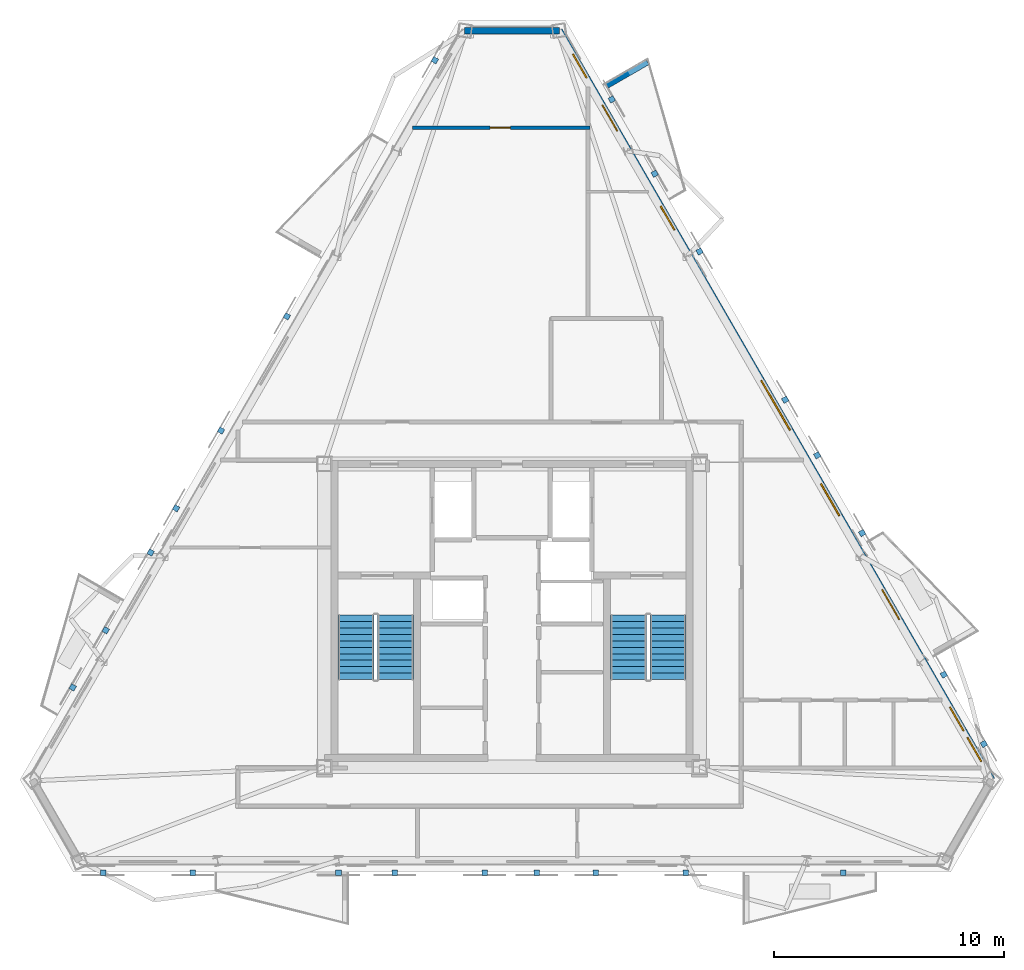
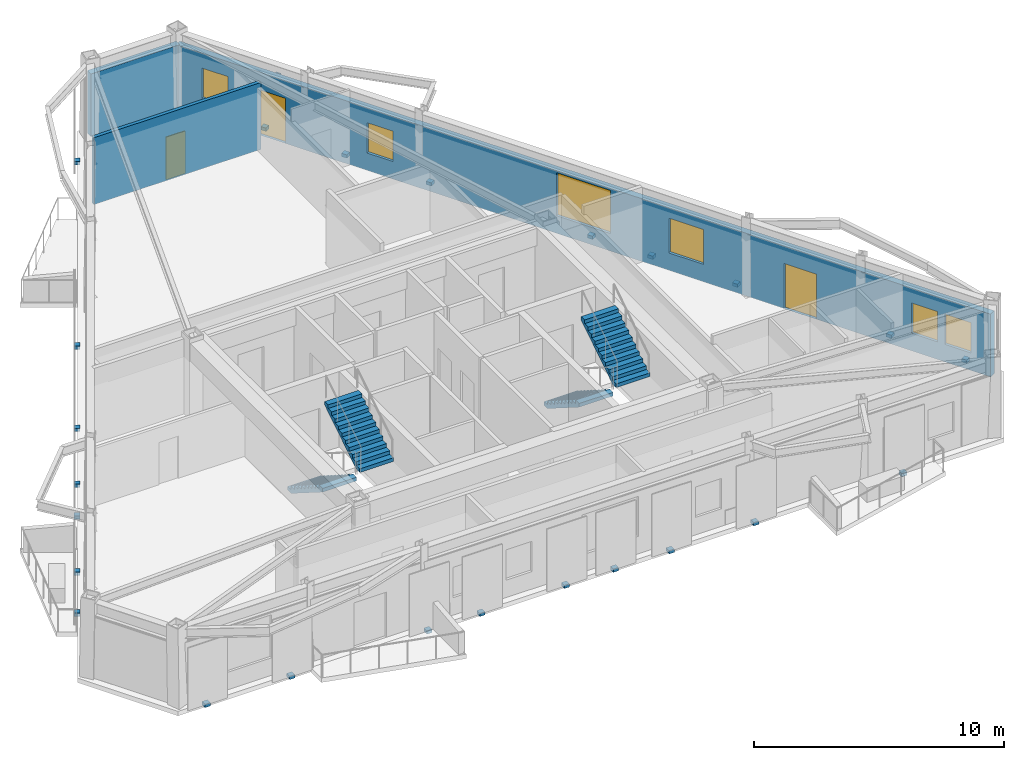
# One storey, part 5 of 9: 24 discrete accessories, 6 windows, 4 stair flights, 4 walls, 3 doors, 9 openings, 2 elements without a shape of their own.
"""IFC4 building model written with IfcOpenShell, lengths in metres."""

from ifc_helpers import new_model, si_unit, direction, frame, frame_2d, origin, origin_2d, place, context, subcontext, project, spatial, polyline, rectangle, outline, extrude, material, layer, layer_set, type_object, element, fill, aggregate, save


model = new_model("IFC4")

# Units and contexts
model_context = context("Model", 3, precision=1e-05, world=origin(), true_north=direction((0.0, 1.0)))
body_context = subcontext(model_context, "Body", "Model", "MODEL_VIEW")
ifc_project = project(units=[si_unit("LENGTHUNIT", "METRE"), si_unit("AREAUNIT", "SQUARE_METRE"), si_unit("VOLUMEUNIT", "CUBIC_METRE"), si_unit("PLANEANGLEUNIT", "RADIAN"), si_unit("MASSUNIT", "GRAM", prefix="KILO")], contexts=[model_context])

# Site, building, storey
site_placement = place(None, origin())
site = spatial("IfcSite", under=ifc_project, at=site_placement, CompositionType="ELEMENT")
building_placement = place(site_placement, origin())
building = spatial("IfcBuilding", under=site, at=building_placement, Name="Oramaril Tower", CompositionType="ELEMENT")
storey_placement = place(building_placement, frame((0.0, 0.0, 292.800048828125)))
storey = spatial("IfcBuildingStorey", under=building, at=storey_placement, Name="L77", CompositionType="ELEMENT", Elevation=292.800048828125)

# Wall, openings, doors, windows
ifc_material_1 = material(Name="Warm Cream Limestone", Category="masonry")
ifc_layer_1 = layer(ifc_material_1, 0.2900390625)
ifc_layer_set_1 = layer_set([ifc_layer_1], Name="WT-EXT29")
wall_type_1 = type_object("IfcWallType", Name="WT-EXT29", PredefinedType="SOLIDWALL", material=ifc_layer_set_1)
wall_1_placement = place(storey_placement, frame((58.33740234375, 10.439208984375, 0.0), z_axis=(0.0, 0.0, 1.0), x_axis=(-0.499999767403, 0.866025538074, 0.0)))
wall_1 = element("IfcWall", 1, at=wall_1_placement, inside=storey, type_object=wall_type_1, Name="L77 Tower Limestone Facade Wall 4M", PredefinedType="SOLIDWALL", context=body_context, shape_type="SweptSolid", body=[
    extrude(rectangle(XDim=37.5703125, YDim=0.2900390625, at=frame_2d((18.78515625, 0.0))), origin(), (0.0, 0.0, 1.0), 3.057861328125),
])
opening_1_placement = place(wall_1_placement, frame((8.034423828125, 0.0, 0.0)))
opening_1 = element("IfcOpeningElement", 2, at=opening_1_placement, cuts=wall_1, Name="Opening D-L77-BAL-NE1", PredefinedType="OPENING", context=body_context, shape_type="SweptSolid", body=[
    extrude(rectangle(XDim=1.5, YDim=2.199951171875, at=frame_2d((0.75, 1.10009765625))), frame((0.0, 0.14501953125, 0.0), z_axis=(0.0, -1.0, 0.0), x_axis=(1.0, 0.0, 0.0)), (0.0, 0.0, 1.0), 0.2900390625),
])
opening_2_placement = place(wall_1_placement, frame((32.53076171875, 0.0, 0.0)))
opening_2 = element("IfcOpeningElement", 3, at=opening_2_placement, cuts=wall_1, Name="Opening D-L77-BAL-NE2", PredefinedType="OPENING", context=body_context, shape_type="SweptSolid", body=[
    extrude(rectangle(XDim=1.300048828125, YDim=2.199951171875, at=frame_2d((0.64990234375, 1.10009765625))), frame((0.0, 0.14501953125, 0.0), z_axis=(0.0, -1.0, 0.0), x_axis=(1.0, 0.0, 0.0)), (0.0, 0.0, 1.0), 0.2900390625),
])
opening_3_placement = place(wall_1_placement, frame((0.91552734375, 0.0, 0.85009765625)))
opening_3 = element("IfcOpeningElement", 4, at=opening_3_placement, cuts=wall_1, Name="Opening WN-09", PredefinedType="OPENING", context=body_context, shape_type="SweptSolid", body=[
    extrude(rectangle(XDim=1.199951171875, YDim=1.47998046875, at=frame_2d((0.60009765625, 0.739990234375))), frame((0.0, 0.14501953125, 0.0), z_axis=(0.0, -1.0, 0.0), x_axis=(1.0, 0.0, 0.0)), (0.0, 0.0, 1.0), 0.2900390625),
])
opening_4_placement = place(wall_1_placement, frame((13.242919921875, 0.0, 0.85009765625)))
opening_4 = element("IfcOpeningElement", 5, at=opening_4_placement, cuts=wall_1, Name="Opening WN-07", PredefinedType="OPENING", context=body_context, shape_type="SweptSolid", body=[
    extrude(rectangle(XDim=1.60009765625, YDim=1.699951171875, at=frame_2d((0.800048828125, 0.85009765625))), frame((0.0, 0.14501953125, 0.0), z_axis=(0.0, -1.0, 0.0), x_axis=(1.0, 0.0, 0.0)), (0.0, 0.0, 1.0), 0.2900390625),
])
opening_5_placement = place(wall_1_placement, frame((2.444091796875, 0.0, 0.85009765625)))
opening_5 = element("IfcOpeningElement", 6, at=opening_5_placement, cuts=wall_1, Name="Opening WN-09", PredefinedType="OPENING", context=body_context, shape_type="SweptSolid", body=[
    extrude(rectangle(XDim=1.199951171875, YDim=1.47998046875, at=frame_2d((0.60009765625, 0.739990234375))), frame((0.0, 0.14501953125, 0.0), z_axis=(0.0, -1.0, 0.0), x_axis=(1.0, 0.0, 0.0)), (0.0, 0.0, 1.0), 0.2900390625),
])
opening_6_placement = place(wall_1_placement, frame((35.189697265625, 0.0, 0.85009765625)))
opening_6 = element("IfcOpeningElement", 7, at=opening_6_placement, cuts=wall_1, Name="Opening WN-09", PredefinedType="OPENING", context=body_context, shape_type="SweptSolid", body=[
    extrude(rectangle(XDim=1.199951171875, YDim=1.47998046875, at=frame_2d((0.60009765625, 0.739990234375))), frame((0.0, 0.14501953125, 0.0), z_axis=(0.0, -1.0, 0.0), x_axis=(1.0, 0.0, 0.0)), (0.0, 0.0, 1.0), 0.2900390625),
])
opening_7_placement = place(wall_1_placement, frame((17.527587890625, 0.0, 0.85009765625)))
opening_7 = element("IfcOpeningElement", 8, at=opening_7_placement, cuts=wall_1, Name="Opening WN-11", PredefinedType="OPENING", context=body_context, shape_type="SweptSolid", body=[
    extrude(rectangle(XDim=2.5, YDim=2.097900390625, at=frame_2d((1.25, 1.048828125))), frame((0.0, 0.14501953125, 0.0), z_axis=(0.0, -1.0, 0.0), x_axis=(1.0, 0.0, 0.0)), (0.0, 0.0, 1.0), 0.2900390625),
])
opening_8_placement = place(wall_1_placement, frame((27.564697265625, 0.0, 0.85009765625)))
opening_8 = element("IfcOpeningElement", 9, at=opening_8_placement, cuts=wall_1, Name="Opening WN-09", PredefinedType="OPENING", context=body_context, shape_type="SweptSolid", body=[
    extrude(rectangle(XDim=1.199951171875, YDim=1.47998046875, at=frame_2d((0.60009765625, 0.739990234375))), frame((0.0, 0.14501953125, 0.0), z_axis=(0.0, -1.0, 0.0), x_axis=(1.0, 0.0, 0.0)), (0.0, 0.0, 1.0), 0.2900390625),
])
ifc_material_2 = material(Name="Anodised Aluminium 6063-T6", Category="aluminium")
door_type_1 = type_object("IfcDoorType", Name="DT-BAL", OperationType="NOTDEFINED", PredefinedType="DOOR", material=ifc_material_2)
door_1_placement = place(opening_1_placement, origin())
door_1 = element("IfcDoor", 10, at=door_1_placement, inside=storey, type_object=door_type_1, Name="L77 Balcony Glazed Door L77-BAL-NE1", OperationType="SINGLE_SWING_RIGHT", OverallHeight=2.199951171875, OverallWidth=1.5, PredefinedType="DOOR", context=body_context, shape_type="SweptSolid", body=[
    extrude(rectangle(XDim=1.5, YDim=2.199951171875, at=frame_2d((0.75, 1.10009765625))), frame((0.0, 0.02490234375, 0.0), z_axis=(0.0, -1.0, 0.0), x_axis=(1.0, 0.0, 0.0)), (0.0, 0.0, 1.0), 0.050048828125),
])
fill(opening_1, door_1)
ifc_material_3 = material(Name="Anodised Aluminium 6063-T6", Category="aluminium")
door_type_2 = type_object("IfcDoorType", Name="DT-E2", OperationType="NOTDEFINED", PredefinedType="DOOR", material=ifc_material_3)
door_2_placement = place(opening_2_placement, origin())
door_2 = element("IfcDoor", 11, at=door_2_placement, inside=storey, type_object=door_type_2, Name="L77 Balcony Glazed Door L77-BAL-NE2", OperationType="SINGLE_SWING_LEFT", OverallHeight=2.199951171875, OverallWidth=1.300048828125, PredefinedType="DOOR", context=body_context, shape_type="SweptSolid", body=[
    extrude(rectangle(XDim=1.300048828125, YDim=2.199951171875, at=frame_2d((0.64990234375, 1.10009765625))), frame((0.0, 0.02490234375, 0.0), z_axis=(0.0, -1.0, 0.0), x_axis=(1.0, 0.0, 0.0)), (0.0, 0.0, 1.0), 0.050048828125),
])
fill(opening_2, door_2)
ifc_material_4 = material(Name="Coastal Low-E Insulated Glass", Category="glass")
window_type_1 = type_object("IfcWindowType", Name="WNT-07", PartitioningType="SINGLE_PANEL", PredefinedType="WINDOW", material=ifc_material_4)
window_1_placement = place(opening_4_placement, origin())
window_1 = element("IfcWindow", 12, at=window_1_placement, inside=storey, type_object=window_type_1, Name="L77 Chicago Bay Window WN-07", OverallHeight=1.699951171875, OverallWidth=1.60009765625, PartitioningType="SINGLE_PANEL", PredefinedType="WINDOW", context=body_context, shape_type="SweptSolid", body=[
    extrude(rectangle(XDim=1.60009765625, YDim=1.699951171875, at=frame_2d((0.800048828125, 0.85009765625))), frame((0.0, 0.030029296875, 0.0), z_axis=(0.0, -1.0, 0.0), x_axis=(1.0, 0.0, 0.0)), (0.0, 0.0, 1.0), 0.06005859375),
])
fill(opening_4, window_1)
ifc_material_5 = material(Name="Coastal Low-E Insulated Glass", Category="glass")
window_type_2 = type_object("IfcWindowType", Name="WNT-09", PartitioningType="SINGLE_PANEL", PredefinedType="WINDOW", material=ifc_material_5)
window_2_placement = place(opening_3_placement, origin())
window_2 = element("IfcWindow", 13, at=window_2_placement, inside=storey, type_object=window_type_2, Name="L77 Chicago Bay Window WN-09", OverallHeight=1.47998046875, OverallWidth=1.199951171875, PartitioningType="SINGLE_PANEL", PredefinedType="WINDOW", context=body_context, shape_type="SweptSolid", body=[
    extrude(rectangle(XDim=1.199951171875, YDim=1.47998046875, at=frame_2d((0.60009765625, 0.739990234375))), frame((0.0, 0.030029296875, 0.0), z_axis=(0.0, -1.0, 0.0), x_axis=(1.0, 0.0, 0.0)), (0.0, 0.0, 1.0), 0.06005859375),
])
fill(opening_3, window_2)
window_3_placement = place(opening_5_placement, origin())
window_3 = element("IfcWindow", 14, at=window_3_placement, inside=storey, type_object=window_type_2, Name="L77 Chicago Bay Window WN-09", OverallHeight=1.47998046875, OverallWidth=1.199951171875, PartitioningType="SINGLE_PANEL", PredefinedType="WINDOW", context=body_context, shape_type="SweptSolid", body=[
    extrude(rectangle(XDim=1.199951171875, YDim=1.47998046875, at=frame_2d((0.60009765625, 0.739990234375))), frame((0.0, 0.030029296875, 0.0), z_axis=(0.0, -1.0, 0.0), x_axis=(1.0, 0.0, 0.0)), (0.0, 0.0, 1.0), 0.06005859375),
])
fill(opening_5, window_3)
window_4_placement = place(opening_6_placement, origin())
window_4 = element("IfcWindow", 15, at=window_4_placement, inside=storey, type_object=window_type_2, Name="L77 Chicago Bay Window WN-09", OverallHeight=1.47998046875, OverallWidth=1.199951171875, PartitioningType="SINGLE_PANEL", PredefinedType="WINDOW", context=body_context, shape_type="SweptSolid", body=[
    extrude(rectangle(XDim=1.199951171875, YDim=1.47998046875, at=frame_2d((0.60009765625, 0.739990234375))), frame((0.0, 0.030029296875, 0.0), z_axis=(0.0, -1.0, 0.0), x_axis=(1.0, 0.0, 0.0)), (0.0, 0.0, 1.0), 0.06005859375),
])
fill(opening_6, window_4)
window_5_placement = place(opening_8_placement, origin())
window_5 = element("IfcWindow", 16, at=window_5_placement, inside=storey, type_object=window_type_2, Name="L77 Chicago Bay Window WN-09", OverallHeight=1.47998046875, OverallWidth=1.199951171875, PartitioningType="SINGLE_PANEL", PredefinedType="WINDOW", context=body_context, shape_type="SweptSolid", body=[
    extrude(rectangle(XDim=1.199951171875, YDim=1.47998046875, at=frame_2d((0.60009765625, 0.739990234375))), frame((0.0, 0.030029296875, 0.0), z_axis=(0.0, -1.0, 0.0), x_axis=(1.0, 0.0, 0.0)), (0.0, 0.0, 1.0), 0.06005859375),
])
fill(opening_8, window_5)
ifc_material_6 = material(Name="Coastal Low-E Insulated Glass", Category="glass")
window_type_3 = type_object("IfcWindowType", Name="WNT-11", PartitioningType="SINGLE_PANEL", PredefinedType="WINDOW", material=ifc_material_6)
window_6_placement = place(opening_7_placement, origin())
window_6 = element("IfcWindow", 17, at=window_6_placement, inside=storey, type_object=window_type_3, Name="L77 Chicago Bay Window WN-11", OverallHeight=2.097900390625, OverallWidth=2.5, PartitioningType="SINGLE_PANEL", PredefinedType="WINDOW", context=body_context, shape_type="SweptSolid", body=[
    extrude(rectangle(XDim=2.5, YDim=2.097900390625, at=frame_2d((1.25, 1.048828125))), frame((0.0, 0.030029296875, 0.0), z_axis=(0.0, -1.0, 0.0), x_axis=(1.0, 0.0, 0.0)), (0.0, 0.0, 1.0), 0.06005859375),
])
fill(opening_7, window_6)

# Walls
wall_2_placement = place(storey_placement, frame((39.55224609375, 42.97607421875, 0.0), z_axis=(0.0, 0.0, 1.0), x_axis=(-1.0, 0.0, 0.0)))
element("IfcWall", 18, at=wall_2_placement, inside=storey, type_object=wall_type_1, Name="L77 Tower Limestone Facade Wall 5M", PredefinedType="SOLIDWALL", context=body_context, shape_type="SweptSolid", body=[
    extrude(rectangle(XDim=4.1044921875, YDim=0.2900390625, at=frame_2d((2.05224609375, 0.0))), origin(), (0.0, 0.0, 1.0), 3.057861328125),
])
ifc_material_7 = material(Name="Concrete C40/50", Category="concrete")
ifc_layer_2 = layer(ifc_material_7, 0.22998046875)
ifc_layer_set_2 = layer_set([ifc_layer_2], Name="WT-PRP23")
wall_type_2 = type_object("IfcWallType", Name="WT-PRP23", PredefinedType="PARAPET", material=ifc_layer_set_2)
wall_3_placement = place(storey_placement, frame((41.62744140625, 40.577880859375, 0.0), z_axis=(0.0, 0.0, 1.0), x_axis=(0.866012356593, 0.500022597718, 0.0)))
element("IfcWall", 19, at=wall_3_placement, inside=storey, type_object=wall_type_2, Name="L77 Trapezoidal Balcony Frame Cheek L77-BAL-NE2-R", PredefinedType="PARAPET", context=body_context, shape_type="SweptSolid", body=[
    extrude(outline(polyline([(0.0, 0.0), (2.0419921875, 0.0), (2.0419921875, 1.099853515625), (0.0, 1.320068359375), (0.0, 0.0)])), frame((0.0, 0.114990234375, 0.0), z_axis=(0.0, -1.0, 0.0), x_axis=(1.0, 0.0, 0.0)), (0.0, 0.0, 1.0), 0.22998046875),
])

# Wall, opening, door
ifc_material_8 = material(Name="Acoustic Gypsum Board Partition")
ifc_layer_3 = layer(ifc_material_8, 0.159912109375)
ifc_layer_set_3 = layer_set([ifc_layer_3], Name="WT-PT16")
wall_type_3 = type_object("IfcWallType", Name="WT-PT16", PredefinedType="PARTITIONING", material=ifc_layer_set_3)
wall_4_placement = place(storey_placement, frame((33.1796875, 38.75, 0.0), z_axis=(0.0, 0.0, 1.0), x_axis=(1.0, 0.0, 0.0)))
wall_4 = element("IfcWall", 20, at=wall_4_placement, inside=storey, type_object=wall_type_3, Name="L77 Interior Partition PT-16", PredefinedType="PARTITIONING", context=body_context, shape_type="SweptSolid", body=[
    extrude(rectangle(XDim=7.702392578125, YDim=0.159912109375, at=frame_2d((3.85107421875, 0.0))), origin(), (0.0, 0.0, 1.0), 3.265869140625),
])
opening_9_placement = place(wall_4_placement, frame((3.371337890625, 0.0, 0.0)))
opening_9 = element("IfcOpeningElement", 21, at=opening_9_placement, cuts=wall_4, Name="Opening D-L77-12", PredefinedType="OPENING", context=body_context, shape_type="SweptSolid", body=[
    extrude(rectangle(XDim=0.8798828125, YDim=2.080078125, at=frame_2d((0.43994140625, 1.0400390625))), frame((0.0, 0.080078125, 0.0), z_axis=(0.0, -1.0, 0.0), x_axis=(1.0, 0.0, 0.0)), (0.0, 0.0, 1.0), 0.159912109375),
])
ifc_material_9 = material(Name="FSC Brazilian Freijo Hardwood", Category="wood")
door_type_3 = type_object("IfcDoorType", Name="DT-BATH", OperationType="NOTDEFINED", PredefinedType="DOOR", material=ifc_material_9)
door_3_placement = place(opening_9_placement, origin())
door_3 = element("IfcDoor", 22, at=door_3_placement, inside=storey, type_object=door_type_3, Name="L77 Flat L77-U4 Bathroom Door D-L77-12", OperationType="SINGLE_SWING_LEFT", OverallHeight=2.080078125, OverallWidth=0.8798828125, PredefinedType="DOOR", context=body_context, shape_type="SweptSolid", body=[
    extrude(rectangle(XDim=0.8798828125, YDim=2.080078125, at=frame_2d((0.43994140625, 1.0400390625))), frame((0.0, 0.02490234375, 0.0), z_axis=(0.0, -1.0, 0.0), x_axis=(1.0, 0.0, 0.0)), (0.0, 0.0, 1.0), 0.050048828125),
])
fill(opening_9, door_3)

# Stair, stair flights
ifc_material_10 = material(Name="Concrete C50/60", Category="concrete")
stair_type = type_object("IfcStairType", Name="STT-DG-3900", PredefinedType="HALF_TURN_STAIR", material=ifc_material_10)
stair_1_placement = place(storey_placement, origin())
stair_1 = element("IfcStair", 23, at=stair_1_placement, inside=storey, type_object=stair_type, Name="L77 Protected PFP Exit Stair ST-1", PredefinedType="HALF_TURN_STAIR")
ifc_material_11 = material(Name="Concrete C50/60", Category="concrete")
stair_flight_type = type_object("IfcStairFlightType", Name="SFT-DG-3900", PredefinedType="STRAIGHT", material=ifc_material_11)
stair_flight_1_placement = place(storey_placement, frame((30.72998046875, 17.590087890625, 0.0), z_axis=(0.0, 0.0, 1.0), x_axis=(0.0, -1.0, 0.0)))
stair_flight_1 = element("IfcStairFlight", 24, at=stair_flight_1_placement, type_object=stair_flight_type, Name="ST-1 flight 1", NumberOfRisers=11, NumberOfTreads=10, PredefinedType="STRAIGHT", RiserHeight=0.177272727, TreadLength=0.28, context=body_context, shape_type="SweptSolid", body=[
    extrude(outline(polyline([(0.0, 0.0), (0.0, 0.17724609375), (0.280029296875, 0.17724609375), (0.280029296875, 0.3544921875), (0.56005859375, 0.3544921875), (0.56005859375, 0.53173828125), (0.840087890625, 0.53173828125), (0.840087890625, 0.708984375), (1.1201171875, 0.708984375), (1.1201171875, 0.886474609375), (1.39990234375, 0.886474609375), (1.39990234375, 1.063720703125), (1.679931640625, 1.063720703125), (1.679931640625, 1.240966796875), (1.9599609375, 1.240966796875), (1.9599609375, 1.418212890625), (2.239990234375, 1.418212890625), (2.239990234375, 1.595458984375), (2.52001953125, 1.595458984375), (2.52001953125, 1.772705078125), (2.800048828125, 1.772705078125), (2.800048828125, 1.949951171875), (2.800048828125, 1.59521484375), (0.2802734375, 0.0), (0.0, 0.0)])), frame((0.0, 0.780029296875, 0.0), z_axis=(0.0, -1.0, 0.0), x_axis=(1.0, 0.0, 0.0)), (0.0, 0.0, 1.0), 1.56005859375),
])
stair_flight_2_placement = place(storey_placement, frame((32.43994140625, 14.7900390625, 1.949951171875), z_axis=(0.0, 0.0, 1.0), x_axis=(0.0, 1.0, 0.0)))
stair_flight_2 = element("IfcStairFlight", 25, at=stair_flight_2_placement, type_object=stair_flight_type, Name="ST-1 flight 2", NumberOfRisers=11, NumberOfTreads=10, PredefinedType="STRAIGHT", RiserHeight=0.177272727, TreadLength=0.28, context=body_context, shape_type="SweptSolid", body=[
    extrude(outline(polyline([(0.0, 0.0), (0.0, 0.17724609375), (0.280029296875, 0.17724609375), (0.280029296875, 0.3544921875), (0.56005859375, 0.3544921875), (0.56005859375, 0.53173828125), (0.840087890625, 0.53173828125), (0.840087890625, 0.708984375), (1.1201171875, 0.708984375), (1.1201171875, 0.886474609375), (1.39990234375, 0.886474609375), (1.39990234375, 1.063720703125), (1.679931640625, 1.063720703125), (1.679931640625, 1.240966796875), (1.9599609375, 1.240966796875), (1.9599609375, 1.418212890625), (2.239990234375, 1.418212890625), (2.239990234375, 1.595458984375), (2.52001953125, 1.595458984375), (2.52001953125, 1.772705078125), (2.800048828125, 1.772705078125), (2.800048828125, 1.949951171875), (2.800048828125, 1.59521484375), (0.2802734375, 0.0), (0.0, 0.0)])), frame((0.0, 0.780029296875, 0.0), z_axis=(0.0, -1.0, 0.0), x_axis=(1.0, 0.0, 0.0)), (0.0, 0.0, 1.0), 1.56005859375),
])
aggregate(stair_1, [stair_flight_1, stair_flight_2])

stair_2_placement = place(storey_placement, origin())
stair_2 = element("IfcStair", 26, at=stair_2_placement, inside=storey, type_object=stair_type, Name="L77 Protected PFP Exit Stair ST-2", PredefinedType="HALF_TURN_STAIR")
stair_flight_3_placement = place(storey_placement, frame((42.56005859375, 17.590087890625, 0.0), z_axis=(0.0, 0.0, 1.0), x_axis=(0.0, -1.0, 0.0)))
stair_flight_3 = element("IfcStairFlight", 27, at=stair_flight_3_placement, type_object=stair_flight_type, Name="ST-2 flight 1", NumberOfRisers=11, NumberOfTreads=10, PredefinedType="STRAIGHT", RiserHeight=0.177272727, TreadLength=0.28, context=body_context, shape_type="SweptSolid", body=[
    extrude(outline(polyline([(0.0, 0.0), (0.0, 0.17724609375), (0.280029296875, 0.17724609375), (0.280029296875, 0.3544921875), (0.56005859375, 0.3544921875), (0.56005859375, 0.53173828125), (0.840087890625, 0.53173828125), (0.840087890625, 0.708984375), (1.1201171875, 0.708984375), (1.1201171875, 0.886474609375), (1.39990234375, 0.886474609375), (1.39990234375, 1.063720703125), (1.679931640625, 1.063720703125), (1.679931640625, 1.240966796875), (1.9599609375, 1.240966796875), (1.9599609375, 1.418212890625), (2.239990234375, 1.418212890625), (2.239990234375, 1.595458984375), (2.52001953125, 1.595458984375), (2.52001953125, 1.772705078125), (2.800048828125, 1.772705078125), (2.800048828125, 1.949951171875), (2.800048828125, 1.59521484375), (0.2802734375, 0.0), (0.0, 0.0)])), frame((0.0, 0.780029296875, 0.0), z_axis=(0.0, -1.0, 0.0), x_axis=(1.0, 0.0, 0.0)), (0.0, 0.0, 1.0), 1.56005859375),
])
stair_flight_4_placement = place(storey_placement, frame((44.27001953125, 14.7900390625, 1.949951171875), z_axis=(0.0, 0.0, 1.0), x_axis=(0.0, 1.0, 0.0)))
stair_flight_4 = element("IfcStairFlight", 28, at=stair_flight_4_placement, type_object=stair_flight_type, Name="ST-2 flight 2", NumberOfRisers=11, NumberOfTreads=10, PredefinedType="STRAIGHT", RiserHeight=0.177272727, TreadLength=0.28, context=body_context, shape_type="SweptSolid", body=[
    extrude(outline(polyline([(0.0, 0.0), (0.0, 0.17724609375), (0.280029296875, 0.17724609375), (0.280029296875, 0.3544921875), (0.56005859375, 0.3544921875), (0.56005859375, 0.53173828125), (0.840087890625, 0.53173828125), (0.840087890625, 0.708984375), (1.1201171875, 0.708984375), (1.1201171875, 0.886474609375), (1.39990234375, 0.886474609375), (1.39990234375, 1.063720703125), (1.679931640625, 1.063720703125), (1.679931640625, 1.240966796875), (1.9599609375, 1.240966796875), (1.9599609375, 1.418212890625), (2.239990234375, 1.418212890625), (2.239990234375, 1.595458984375), (2.52001953125, 1.595458984375), (2.52001953125, 1.772705078125), (2.800048828125, 1.772705078125), (2.800048828125, 1.949951171875), (2.800048828125, 1.59521484375), (0.2802734375, 0.0), (0.0, 0.0)])), frame((0.0, 0.780029296875, 0.0), z_axis=(0.0, -1.0, 0.0), x_axis=(1.0, 0.0, 0.0)), (0.0, 0.0, 1.0), 1.56005859375),
])
aggregate(stair_2, [stair_flight_3, stair_flight_4])

# Discrete accessories
for number, where, z_axis, x_axis, name in (
    (29, (41.145263671875, 6.404541015625, -0.14013671875), (0.0, 0.0, 1.0), (1.0, 0.0, 0.0), "L77 Solar Screen Slab Bracket"),
    (30, (45.045166015625, 6.404541015625, -0.14013671875), (0.0, 0.0, 1.0), (1.0, 0.0, 0.0), "L77 Solar Screen Slab Bracket"),
    (31, (51.8798828125, 6.404541015625, -0.14013671875), (0.0, 0.0, 1.0), (1.0, 0.0, 0.0), "L77 Solar Screen Slab Bracket"),
    (32, (32.407470703125, 6.404541015625, -0.14013671875), (0.0, 0.0, 1.0), (1.0, 0.0, 0.0), "L77 Solar Screen Slab Bracket"),
    (33, (36.307373046875, 6.404541015625, -0.14013671875), (0.0, 0.0, 1.0), (1.0, 0.0, 0.0), "L77 Solar Screen Slab Bracket"),
    (34, (38.56884765625, 6.404541015625, -0.14013671875), (0.0, 0.0, 1.0), (1.0, 0.0, 0.0), "L77 Solar Screen Slab Bracket"),
    (35, (19.73828125, 6.404541015625, -0.14013671875), (0.0, 0.0, 1.0), (1.0, 0.0, 0.0), "L77 Solar Screen Slab Bracket"),
    (36, (23.63818359375, 6.404541015625, -0.14013671875), (0.0, 0.0, 1.0), (1.0, 0.0, 0.0), "L77 Solar Screen Slab Bracket"),
    (37, (29.96435546875, 6.404541015625, -0.14013671875), (0.0, 0.0, 1.0), (1.0, 0.0, 0.0), "L77 Solar Screen Slab Bracket"),
    (38, (57.995361328125, 11.991943359375, -0.14013671875), (0.0, 0.0, 1.0), (-0.5, 0.866025403784, 0.0), "L77 Solar Screen Slab Bracket"),
    (39, (52.706787109375, 21.15185546875, -0.14013671875), (0.0, 0.0, 1.0), (-0.5, 0.866025403784, 0.0), "L77 Solar Screen Slab Bracket"),
    (40, (50.756591796875, 24.529296875, -0.14013671875), (0.0, 0.0, 1.0), (-0.5, 0.866025403784, 0.0), "L77 Solar Screen Slab Bracket"),
    (41, (56.256103515625, 15.00439453125, -0.14013671875), (0.0, 0.0, 1.0), (-0.5, 0.866025403784, 0.0), "L77 Solar Screen Slab Bracket"),
    (42, (41.833251953125, 39.9853515625, -0.14013671875), (0.0, 0.0, 1.0), (-0.5, 0.866025403784, 0.0), "L77 Solar Screen Slab Bracket"),
    (43, (49.3642578125, 26.941162109375, -0.14013671875), (0.0, 0.0, 1.0), (-0.5, 0.866025403784, 0.0), "L77 Solar Screen Slab Bracket"),
    (44, (45.645751953125, 33.3818359375, -0.14013671875), (0.0, 0.0, 1.0), (-0.5, 0.866025403784, 0.0), "L77 Solar Screen Slab Bracket"),
    (45, (43.69580078125, 36.759521484375, -0.14013671875), (0.0, 0.0, 1.0), (-0.5, 0.866025403784, 0.0), "L77 Solar Screen Slab Bracket"),
    (46, (21.805908203125, 20.30810546875, -0.14013671875), (0.0, 0.0, 1.0), (-0.5, -0.866025403784, 0.0), "L77 Solar Screen Slab Bracket"),
    (47, (19.85595703125, 16.930419921875, -0.14013671875), (0.0, 0.0, 1.0), (-0.5, -0.866025403784, 0.0), "L77 Solar Screen Slab Bracket"),
    (48, (18.423583984375, 14.44970703125, -0.14013671875), (0.0, 0.0, 1.0), (-0.5, -0.866025403784, 0.0), "L77 Solar Screen Slab Bracket"),
    (49, (24.86328125, 25.60302734375, -0.14013671875), (0.0, 0.0, 1.0), (-0.5, -0.866025403784, 0.0), "L77 Solar Screen Slab Bracket"),
    (50, (22.9130859375, 22.2255859375, -0.14013671875), (0.0, 0.0, 1.0), (-0.5, -0.866025403784, 0.0), "L77 Solar Screen Slab Bracket"),
    (51, (27.7255859375, 30.56103515625, -0.14013671875), (0.0, 0.0, 1.0), (-0.5, -0.866025403784, 0.0), "L77 Solar Screen Slab Bracket"),
    (52, (34.1494140625, 41.6875, -0.14013671875), (0.0, 0.0, 1.0), (-0.5, -0.866025403784, 0.0), "L77 Solar Screen Slab Bracket"),
):
    element("IfcDiscreteAccessory", number, at=place(storey_placement, frame(where, z_axis=z_axis, x_axis=x_axis)), inside=storey, Name=name, PredefinedType="BRACKET", context=body_context, shape_type="SweptSolid", body=[
        extrude(rectangle(XDim=0.239990234375, YDim=0.239990234375, at=origin_2d()), origin(), (0.0, 0.0, 1.0), 0.159912109375),
    ])

save(model, "model.ifc")
